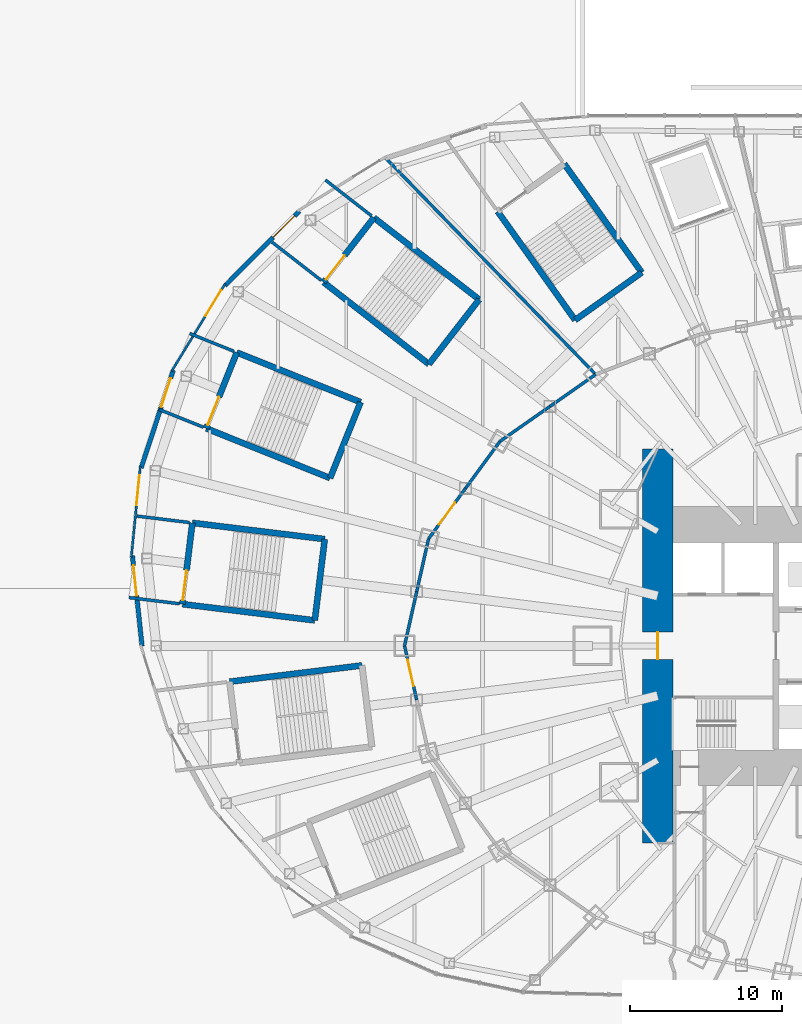
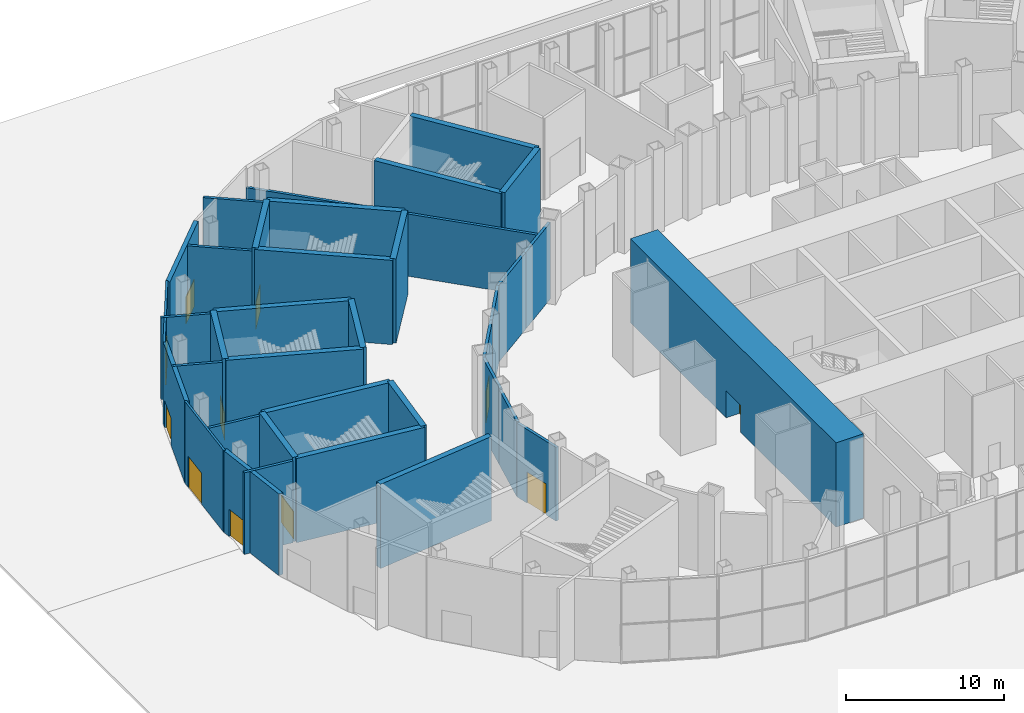
# One storey, part 18 of 47: 36 walls, 11 doors, 11 openings.
"""IFC4 building model written with IfcOpenShell, lengths in metres."""

from ifc_helpers import new_model, si_unit, direction, frame, frame_2d, origin, place, context, subcontext, project, spatial, rectangle, extrude, material, layer, layer_set, type_object, element, fill, save


model = new_model("IFC4")

# Units and contexts
model_context = context("Model", 3, precision=1e-05, world=origin(), true_north=direction((0.0, 1.0)))
body_context = subcontext(model_context, "Body", "Model", "MODEL_VIEW")
ifc_project = project(units=[si_unit("LENGTHUNIT", "METRE"), si_unit("AREAUNIT", "SQUARE_METRE"), si_unit("VOLUMEUNIT", "CUBIC_METRE"), si_unit("PLANEANGLEUNIT", "RADIAN"), si_unit("MASSUNIT", "GRAM", prefix="KILO")], contexts=[model_context])

# Site, building, storey
site_placement = place(None, origin())
site = spatial("IfcSite", under=ifc_project, at=site_placement, CompositionType="ELEMENT")
building_placement = place(site_placement, origin())
building = spatial("IfcBuilding", under=site, at=building_placement, Name="Lantaw Convention Tower", CompositionType="ELEMENT")
storey_placement = place(building_placement, origin())
storey = spatial("IfcBuildingStorey", under=building, at=storey_placement, Name="L00", CompositionType="ELEMENT", Elevation=0.0)

# Wall, opening, door
ifc_material_1 = material(Name="Concrete C60/75", Category="concrete")
ifc_layer_1 = layer(ifc_material_1, 2.0)
ifc_layer_set_1 = layer_set([ifc_layer_1], Name="Core wall 2000")
wall_type_1 = type_object("IfcWallType", Name="Core wall 2000", PredefinedType="SHEAR", material=ifc_layer_set_1)
wall_1_placement = place(storey_placement, frame((-13.199951171875, 13.0, 0.0), z_axis=(0.0, 0.0, 1.0), x_axis=(0.0, -1.0, 0.0)))
wall_1 = element("IfcWall", 1, at=wall_1_placement, inside=storey, type_object=wall_type_1, Name="Core wall W", PredefinedType="SHEAR", context=body_context, shape_type="SweptSolid", body=[
    extrude(rectangle(XDim=26.0, YDim=2.0, at=frame_2d((13.0, 0.0))), origin(), (0.0, 0.0, 1.0), 6.5),
])
opening_1_placement = place(wall_1_placement, frame((12.10009765625, 0.0, 0.0)))
opening_1 = element("IfcOpeningElement", 2, at=opening_1_placement, cuts=wall_1, Name="Opening L00.06", PredefinedType="OPENING", context=body_context, shape_type="SweptSolid", body=[
    extrude(rectangle(XDim=1.800048828125, YDim=2.10009765625, at=frame_2d((0.89990234375, 1.050048828125))), frame((0.0, 1.010009765625, 0.0), z_axis=(0.0, -1.0, 0.0), x_axis=(1.0, 0.0, 0.0)), (0.0, 0.0, 1.0), 2.02001953125),
])
ifc_material_2 = material(Name="Steel, fire rated", Category="steel")
door_type_1 = type_object("IfcDoorType", Name="Lobby double door FD90", OperationType="DOUBLE_DOOR_DOUBLE_SWING", PredefinedType="DOOR", material=ifc_material_2)
door_1_placement = place(opening_1_placement, origin())
door_1 = element("IfcDoor", 3, at=door_1_placement, inside=storey, type_object=door_type_1, Name="Firefighting lobby door", OperationType="DOUBLE_DOOR_DOUBLE_SWING", OverallHeight=2.10009765625, OverallWidth=1.800048828125, PredefinedType="DOOR", context=body_context, shape_type="SweptSolid", body=[
    extrude(rectangle(XDim=1.800048828125, YDim=2.10009765625, at=frame_2d((0.89990234375, 1.050048828125))), frame((0.0, 0.02490234375, 0.0), z_axis=(0.0, -1.0, 0.0), x_axis=(1.0, 0.0, 0.0)), (0.0, 0.0, 1.0), 0.050048828125),
])
fill(opening_1, door_1)

# Walls
ifc_material_3 = material(Name="Concrete blockwork, fire rated", Category="masonry")
ifc_layer_2 = layer(ifc_material_3, 0.199951171875)
ifc_layer_set_2 = layer_set([ifc_layer_2], Name="Exit vestibule wall 200 EI 120")
wall_type_2 = type_object("IfcWallType", Name="Exit vestibule wall 200 EI 120", PredefinedType="SOLIDWALL", material=ifc_layer_set_2)
wall_2_placement = place(storey_placement, frame((-32.08203125, 28.370849609375, 0.0), z_axis=(0.0, 0.0, 1.0), x_axis=(-0.789376118937, 0.613909881702, 0.0)))
element("IfcWall", 4, at=wall_2_placement, inside=storey, type_object=wall_type_2, Name="Exit vestibule wall 200", PredefinedType="SOLIDWALL", context=body_context, shape_type="SweptSolid", body=[
    extrude(rectangle(XDim=3.849853515625, YDim=0.199951171875, at=frame_2d((1.9248046875, 0.0))), origin(), (0.0, 0.0, 1.0), 6.300048828125),
])
wall_3_placement = place(storey_placement, frame((-35.397216796875, 24.108154296875, 0.0), z_axis=(0.0, 0.0, 1.0), x_axis=(-0.789342622909, 0.61395294906, 0.0)))
element("IfcWall", 5, at=wall_3_placement, inside=storey, type_object=wall_type_2, Name="Exit vestibule wall 200", PredefinedType="SOLIDWALL", context=body_context, shape_type="SweptSolid", body=[
    extrude(rectangle(XDim=4.110595703125, YDim=0.199951171875, at=frame_2d((2.05517578125, 0.0))), origin(), (0.0, 0.0, 1.0), 6.300048828125),
])
wall_4_placement = place(storey_placement, frame((-41.152099609375, 19.4296875, 0.0), z_axis=(0.0, 0.0, 1.0), x_axis=(-0.928037743531, 0.372486169652, 0.0)))
element("IfcWall", 6, at=wall_4_placement, inside=storey, type_object=wall_type_2, Name="Exit vestibule wall 200", PredefinedType="SOLIDWALL", context=body_context, shape_type="SweptSolid", body=[
    extrude(rectangle(XDim=3.14990234375, YDim=0.199951171875, at=frame_2d((1.574951171875, 0.0))), origin(), (0.0, 0.0, 1.0), 6.300048828125),
])
wall_5_placement = place(storey_placement, frame((-43.163818359375, 14.418212890625, 0.0), z_axis=(0.0, 0.0, 1.0), x_axis=(-0.928010950087, 0.372552917744, 0.0)))
element("IfcWall", 7, at=wall_5_placement, inside=storey, type_object=wall_type_2, Name="Exit vestibule wall 200", PredefinedType="SOLIDWALL", context=body_context, shape_type="SweptSolid", body=[
    extrude(rectangle(XDim=3.150146484375, YDim=0.199951171875, at=frame_2d((1.5751953125, 0.0))), origin(), (0.0, 0.0, 1.0), 6.300048828125),
])
wall_6_placement = place(storey_placement, frame((-44.09765625, 8.134765625, 0.0), z_axis=(0.0, 0.0, 1.0), x_axis=(-0.992546571341, 0.121865925179, 0.0)))
element("IfcWall", 8, at=wall_6_placement, inside=storey, type_object=wall_type_2, Name="Exit vestibule wall 200", PredefinedType="SOLIDWALL", context=body_context, shape_type="SweptSolid", body=[
    extrude(rectangle(XDim=3.491943359375, YDim=0.199951171875, at=frame_2d((1.74609375, 0.0))), origin(), (0.0, 0.0, 1.0), 6.300048828125),
])
wall_7_placement = place(storey_placement, frame((-44.755615234375, 2.775146484375, 0.0), z_axis=(0.0, 0.0, 1.0), x_axis=(-0.992549022568, 0.121845959305, 0.0)))
element("IfcWall", 9, at=wall_7_placement, inside=storey, type_object=wall_type_2, Name="Exit vestibule wall 200", PredefinedType="SOLIDWALL", context=body_context, shape_type="SweptSolid", body=[
    extrude(rectangle(XDim=3.35009765625, YDim=0.199951171875, at=frame_2d((1.675048828125, 0.0))), origin(), (0.0, 0.0, 1.0), 6.300048828125),
])

# Wall, opening, door
ifc_material_4 = material(Name="Aluminium framed glazing", Category="aluminium")
ifc_layer_3 = layer(ifc_material_4, 0.14990234375)
ifc_layer_set_3 = layer_set([ifc_layer_3], Name="Glazed entrance screen 150")
wall_type_3 = type_object("IfcWallType", Name="Glazed entrance screen 150", PredefinedType="ELEMENTEDWALL", material=ifc_layer_set_3)
wall_8_placement = place(storey_placement, frame((-41.734130859375, 23.8916015625, 0.0), z_axis=(0.0, 0.0, 1.0), x_axis=(-0.522237351002, -0.852800181296, 0.0)))
wall_8 = element("IfcWall", 10, at=wall_8_placement, inside=storey, type_object=wall_type_3, Name="Glazed entrance screen", PredefinedType="ELEMENTEDWALL", context=body_context, shape_type="SweptSolid", body=[
    extrude(rectangle(XDim=6.771240234375, YDim=0.14990234375, at=frame_2d((3.3857421875, 0.0))), origin(), (0.0, 0.0, 1.0), 6.300048828125),
])
opening_2_placement = place(wall_8_placement, frame((0.5, 0.0, 0.0)))
opening_2 = element("IfcOpeningElement", 11, at=opening_2_placement, cuts=wall_8, Name="Opening L00.X20", PredefinedType="OPENING", context=body_context, shape_type="SweptSolid", body=[
    extrude(rectangle(XDim=2.0, YDim=2.39990234375, at=frame_2d((1.0, 1.199951171875))), frame((0.0, 0.0849609375, 0.0), z_axis=(0.0, -1.0, 0.0), x_axis=(1.0, 0.0, 0.0)), (0.0, 0.0, 1.0), 0.169921875),
])
ifc_material_5 = material(Name="Aluminium and glass", Category="aluminium")
door_type_2 = type_object("IfcDoorType", Name="Entrance double door 2000", OperationType="DOUBLE_DOOR_DOUBLE_SWING", PredefinedType="DOOR", material=ifc_material_5)
door_2_placement = place(opening_2_placement, origin())
door_2 = element("IfcDoor", 12, at=door_2_placement, inside=storey, type_object=door_type_2, Name="Entrance", OperationType="DOUBLE_DOOR_DOUBLE_SWING", OverallHeight=2.39990234375, OverallWidth=2.0, PredefinedType="DOOR", context=body_context, shape_type="SweptSolid", body=[
    extrude(rectangle(XDim=2.0, YDim=2.39990234375, at=frame_2d((1.0, 1.199951171875))), frame((0.0, 0.02490234375, 0.0), z_axis=(0.0, -1.0, 0.0), x_axis=(1.0, 0.0, 0.0)), (0.0, 0.0, 1.0), 0.050048828125),
])
fill(opening_2, door_2)

wall_9_placement = place(storey_placement, frame((-47.331298828125, 11.85302734375, 0.0), z_axis=(0.0, 0.0, 1.0), x_axis=(-0.099051198898, -0.9950823383, 0.0)))
wall_9 = element("IfcWall", 13, at=wall_9_placement, inside=storey, type_object=wall_type_3, Name="Glazed entrance screen", PredefinedType="ELEMENTEDWALL", context=body_context, shape_type="SweptSolid", body=[
    extrude(rectangle(XDim=6.036376953125, YDim=0.14990234375, at=frame_2d((3.01806640625, 0.0))), origin(), (0.0, 0.0, 1.0), 6.300048828125),
])
opening_3_placement = place(wall_9_placement, frame((0.60009765625, 0.0, 0.0)))
opening_3 = element("IfcOpeningElement", 14, at=opening_3_placement, cuts=wall_9, Name="Opening L00.X22", PredefinedType="OPENING", context=body_context, shape_type="SweptSolid", body=[
    extrude(rectangle(XDim=2.0, YDim=2.39990234375, at=frame_2d((1.0, 1.199951171875))), frame((0.0, 0.0849609375, 0.0), z_axis=(0.0, -1.0, 0.0), x_axis=(1.0, 0.0, 0.0)), (0.0, 0.0, 1.0), 0.169921875),
])
door_3_placement = place(opening_3_placement, origin())
door_3 = element("IfcDoor", 15, at=door_3_placement, inside=storey, type_object=door_type_2, Name="Entrance", OperationType="DOUBLE_DOOR_DOUBLE_SWING", OverallHeight=2.39990234375, OverallWidth=2.0, PredefinedType="DOOR", context=body_context, shape_type="SweptSolid", body=[
    extrude(rectangle(XDim=2.0, YDim=2.39990234375, at=frame_2d((1.0, 1.199951171875))), frame((0.0, 0.02490234375, 0.0), z_axis=(0.0, -1.0, 0.0), x_axis=(1.0, 0.0, 0.0)), (0.0, 0.0, 1.0), 0.050048828125),
])
fill(opening_3, door_3)

ifc_material_6 = material(Name="Precast concrete panel, pale aluminium rainscreen", Category="concrete")
ifc_layer_4 = layer(ifc_material_6, 0.300048828125)
ifc_layer_set_4 = layer_set([ifc_layer_4], Name="Podium external wall 300")
wall_type_4 = type_object("IfcWallType", Name="Podium external wall 300", PredefinedType="SOLIDWALL", material=ifc_layer_set_4)
wall_10_placement = place(storey_placement, frame((-36.841552734375, 28.678955078125, 0.0), z_axis=(0.0, 0.0, 1.0), x_axis=(-0.705874614645, -0.708336804352, 0.0)))
wall_10 = element("IfcWall", 16, at=wall_10_placement, inside=storey, type_object=wall_type_4, Name="Podium facade wall", PredefinedType="SOLIDWALL", context=body_context, shape_type="SweptSolid", body=[
    extrude(rectangle(XDim=6.94091796875, YDim=0.300048828125, at=frame_2d((3.470458984375, 0.0))), origin(), (0.0, 0.0, 1.0), 6.300048828125),
])
opening_4_placement = place(wall_10_placement, frame((0.449951171875, 0.0, 0.0)))
opening_4 = element("IfcOpeningElement", 17, at=opening_4_placement, cuts=wall_10, Name="Opening L00.X19", PredefinedType="OPENING", context=body_context, shape_type="SweptSolid", body=[
    extrude(rectangle(XDim=2.0, YDim=2.10009765625, at=frame_2d((1.0, 1.050048828125))), frame((0.0, 0.159912109375, 0.0), z_axis=(0.0, -1.0, 0.0), x_axis=(1.0, 0.0, 0.0)), (0.0, 0.0, 1.0), 0.320068359375),
])
door_type_3 = type_object("IfcDoorType", Name="Exit double door 2000", OperationType="DOUBLE_DOOR_DOUBLE_SWING", PredefinedType="DOOR", material=ifc_material_5)
door_4_placement = place(opening_4_placement, origin())
door_4 = element("IfcDoor", 18, at=door_4_placement, inside=storey, type_object=door_type_3, Name="Exit door", OperationType="DOUBLE_DOOR_DOUBLE_SWING", OverallHeight=2.10009765625, OverallWidth=2.0, PredefinedType="DOOR", context=body_context, shape_type="SweptSolid", body=[
    extrude(rectangle(XDim=2.0, YDim=2.10009765625, at=frame_2d((1.0, 1.050048828125))), frame((0.0, 0.02490234375, 0.0), z_axis=(0.0, -1.0, 0.0), x_axis=(1.0, 0.0, 0.0)), (0.0, 0.0, 1.0), 0.050048828125),
])
fill(opening_4, door_4)

wall_11_placement = place(storey_placement, frame((-45.158203125, 18.181640625, 0.0), z_axis=(0.0, 0.0, 1.0), x_axis=(-0.31263149373, -0.94987449125, 0.0)))
wall_11 = element("IfcWall", 19, at=wall_11_placement, inside=storey, type_object=wall_type_4, Name="Podium facade wall", PredefinedType="SOLIDWALL", context=body_context, shape_type="SweptSolid", body=[
    extrude(rectangle(XDim=6.7861328125, YDim=0.300048828125, at=frame_2d((3.39306640625, 0.0))), origin(), (0.0, 0.0, 1.0), 6.300048828125),
])
opening_5_placement = place(wall_11_placement, frame((0.550048828125, 0.0, 0.0)))
opening_5 = element("IfcOpeningElement", 20, at=opening_5_placement, cuts=wall_11, Name="Opening L00.X21", PredefinedType="OPENING", context=body_context, shape_type="SweptSolid", body=[
    extrude(rectangle(XDim=2.0, YDim=2.10009765625, at=frame_2d((1.0, 1.050048828125))), frame((0.0, 0.159912109375, 0.0), z_axis=(0.0, -1.0, 0.0), x_axis=(1.0, 0.0, 0.0)), (0.0, 0.0, 1.0), 0.320068359375),
])
door_5_placement = place(opening_5_placement, origin())
door_5 = element("IfcDoor", 21, at=door_5_placement, inside=storey, type_object=door_type_3, Name="Exit door", OperationType="DOUBLE_DOOR_DOUBLE_SWING", OverallHeight=2.10009765625, OverallWidth=2.0, PredefinedType="DOOR", context=body_context, shape_type="SweptSolid", body=[
    extrude(rectangle(XDim=2.0, YDim=2.10009765625, at=frame_2d((1.0, 1.050048828125))), frame((0.0, 0.02490234375, 0.0), z_axis=(0.0, -1.0, 0.0), x_axis=(1.0, 0.0, 0.0)), (0.0, 0.0, 1.0), 0.050048828125),
])
fill(opening_5, door_5)

wall_12_placement = place(storey_placement, frame((-47.85498046875, 5.94921875, 0.0), z_axis=(0.0, 0.0, 1.0), x_axis=(0.105835648981, -0.99438363593, 0.0)))
wall_12 = element("IfcWall", 22, at=wall_12_placement, inside=storey, type_object=wall_type_4, Name="Podium facade wall", PredefinedType="SOLIDWALL", context=body_context, shape_type="SweptSolid", body=[
    extrude(rectangle(XDim=6.0068359375, YDim=0.300048828125, at=frame_2d((3.00341796875, 0.0))), origin(), (0.0, 0.0, 1.0), 6.300048828125),
])
opening_6_placement = place(wall_12_placement, frame((0.64990234375, 0.0, 0.0)))
opening_6 = element("IfcOpeningElement", 23, at=opening_6_placement, cuts=wall_12, Name="Opening L00.X23", PredefinedType="OPENING", context=body_context, shape_type="SweptSolid", body=[
    extrude(rectangle(XDim=2.0, YDim=2.10009765625, at=frame_2d((1.0, 1.050048828125))), frame((0.0, 0.159912109375, 0.0), z_axis=(0.0, -1.0, 0.0), x_axis=(1.0, 0.0, 0.0)), (0.0, 0.0, 1.0), 0.320068359375),
])
door_6_placement = place(opening_6_placement, origin())
door_6 = element("IfcDoor", 24, at=door_6_placement, inside=storey, type_object=door_type_3, Name="Exit door", OperationType="DOUBLE_DOOR_DOUBLE_SWING", OverallHeight=2.10009765625, OverallWidth=2.0, PredefinedType="DOOR", context=body_context, shape_type="SweptSolid", body=[
    extrude(rectangle(XDim=2.0, YDim=2.10009765625, at=frame_2d((1.0, 1.050048828125))), frame((0.0, 0.02490234375, 0.0), z_axis=(0.0, -1.0, 0.0), x_axis=(1.0, 0.0, 0.0)), (0.0, 0.0, 1.0), 0.050048828125),
])
fill(opening_6, door_6)

# Walls
ifc_material_7 = material(Name="Concrete blockwork", Category="masonry")
ifc_layer_5 = layer(ifc_material_7, 0.199951171875)
ifc_layer_set_5 = layer_set([ifc_layer_5], Name="Podium partition 200")
wall_type_5 = type_object("IfcWallType", Name="Podium partition 200", PredefinedType="SOLIDWALL", material=ifc_layer_set_5)
wall_13_placement = place(storey_placement, frame((-17.290771484375, 17.9052734375, 0.0), z_axis=(0.0, 0.0, 1.0), x_axis=(-0.819409395821, -0.573208724672, 0.0)))
element("IfcWall", 25, at=wall_13_placement, inside=storey, type_object=wall_type_5, Name="Podium partition 200", PredefinedType="SOLIDWALL", context=body_context, shape_type="SweptSolid", body=[
    extrude(rectangle(XDim=3.682861328125, YDim=0.199951171875, at=frame_2d((1.84130859375, 0.0))), origin(), (0.0, 0.0, 1.0), 5.896240234375),
])
wall_14_placement = place(storey_placement, frame((-20.30859375, 15.794189453125, 0.0), z_axis=(0.0, 0.0, 1.0), x_axis=(-0.819442856133, -0.573160889744, 0.0)))
element("IfcWall", 26, at=wall_14_placement, inside=storey, type_object=wall_type_5, Name="Podium partition 200", PredefinedType="SOLIDWALL", context=body_context, shape_type="SweptSolid", body=[
    extrude(rectangle(XDim=4.022705078125, YDim=0.199951171875, at=frame_2d((2.01123046875, 0.0))), origin(), (0.0, 0.0, 1.0), 5.896240234375),
])
wall_15_placement = place(storey_placement, frame((-23.60498046875, 13.488525390625, 0.0), z_axis=(0.0, 0.0, 1.0), x_axis=(-0.591286566758, -0.806461527893, 0.0)))
element("IfcWall", 27, at=wall_15_placement, inside=storey, type_object=wall_type_5, Name="Podium partition 200", PredefinedType="SOLIDWALL", context=body_context, shape_type="SweptSolid", body=[
    extrude(rectangle(XDim=3.843994140625, YDim=0.199951171875, at=frame_2d((1.921875, 0.0))), origin(), (0.0, 0.0, 1.0), 5.896240234375),
])

# Wall, opening, door
wall_16_placement = place(storey_placement, frame((-25.8779296875, 10.388427734375, 0.0), z_axis=(0.0, 0.0, 1.0), x_axis=(-0.591255937291, -0.806483984105, 0.0)))
wall_16 = element("IfcWall", 28, at=wall_16_placement, inside=storey, type_object=wall_type_5, Name="Podium partition 200", PredefinedType="SOLIDWALL", context=body_context, shape_type="SweptSolid", body=[
    extrude(rectangle(XDim=4.126708984375, YDim=0.199951171875, at=frame_2d((2.0634765625, 0.0))), origin(), (0.0, 0.0, 1.0), 5.896240234375),
])
opening_7_placement = place(wall_16_placement, frame((1.163330078125, 0.0, 0.0)))
opening_7 = element("IfcOpeningElement", 29, at=opening_7_placement, cuts=wall_16, Name="Opening L00.23", PredefinedType="OPENING", context=body_context, shape_type="SweptSolid", body=[
    extrude(rectangle(XDim=1.800048828125, YDim=2.39990234375, at=frame_2d((0.89990234375, 1.199951171875))), frame((0.0, 0.10986328125, 0.0), z_axis=(0.0, -1.0, 0.0), x_axis=(1.0, 0.0, 0.0)), (0.0, 0.0, 1.0), 0.219970703125),
])
ifc_material_8 = material(Name="Timber", Category="wood")
door_type_4 = type_object("IfcDoorType", Name="Hall double door 1800", OperationType="DOUBLE_DOOR_DOUBLE_SWING", PredefinedType="DOOR", material=ifc_material_8)
door_7_placement = place(opening_7_placement, origin())
door_7 = element("IfcDoor", 30, at=door_7_placement, inside=storey, type_object=door_type_4, Name="Convention registration hall door", OperationType="DOUBLE_DOOR_DOUBLE_SWING", OverallHeight=2.39990234375, OverallWidth=1.800048828125, PredefinedType="DOOR", context=body_context, shape_type="SweptSolid", body=[
    extrude(rectangle(XDim=1.800048828125, YDim=2.39990234375, at=frame_2d((0.89990234375, 1.199951171875))), frame((0.0, 0.02490234375, 0.0), z_axis=(0.0, -1.0, 0.0), x_axis=(1.0, 0.0, 0.0)), (0.0, 0.0, 1.0), 0.050048828125),
])
fill(opening_7, door_7)

# Walls
wall_17_placement = place(storey_placement, frame((-28.31787109375, 7.060302734375, 0.0), z_axis=(0.0, 0.0, 1.0), x_axis=(-0.218673326171, -0.97579812278, 0.0)))
element("IfcWall", 31, at=wall_17_placement, inside=storey, type_object=wall_type_5, Name="Podium partition 200", PredefinedType="SOLIDWALL", context=body_context, shape_type="SweptSolid", body=[
    extrude(rectangle(XDim=3.57373046875, YDim=0.199951171875, at=frame_2d((1.786865234375, 0.0))), origin(), (0.0, 0.0, 1.0), 5.896240234375),
])
wall_18_placement = place(storey_placement, frame((-29.099365234375, 3.572998046875, 0.0), z_axis=(0.0, 0.0, 1.0), x_axis=(-0.218631550323, -0.975807483679, 0.0)))
element("IfcWall", 32, at=wall_18_placement, inside=storey, type_object=wall_type_5, Name="Podium partition 200", PredefinedType="SOLIDWALL", context=body_context, shape_type="SweptSolid", body=[
    extrude(rectangle(XDim=3.66162109375, YDim=0.199951171875, at=frame_2d((1.830810546875, 0.0))), origin(), (0.0, 0.0, 1.0), 5.771728515625),
])

# Wall, opening, door
wall_19_placement = place(storey_placement, frame((-29.89990234375, 0.0, 0.0), z_axis=(0.0, 0.0, 1.0), x_axis=(0.218631550323, -0.975807483679, 0.0)))
wall_19 = element("IfcWall", 33, at=wall_19_placement, inside=storey, type_object=wall_type_5, Name="Podium partition 200", PredefinedType="SOLIDWALL", context=body_context, shape_type="SweptSolid", body=[
    extrude(rectangle(XDim=3.66162109375, YDim=0.199951171875, at=frame_2d((1.830810546875, 0.0))), origin(), (0.0, 0.0, 1.0), 5.687744140625),
])
opening_8_placement = place(wall_19_placement, frame((0.930908203125, 0.0, 0.0)))
opening_8 = element("IfcOpeningElement", 34, at=opening_8_placement, cuts=wall_19, Name="Opening L00.22", PredefinedType="OPENING", context=body_context, shape_type="SweptSolid", body=[
    extrude(rectangle(XDim=1.800048828125, YDim=2.39990234375, at=frame_2d((0.89990234375, 1.199951171875))), frame((0.0, 0.10986328125, 0.0), z_axis=(0.0, -1.0, 0.0), x_axis=(1.0, 0.0, 0.0)), (0.0, 0.0, 1.0), 0.219970703125),
])
door_8_placement = place(opening_8_placement, origin())
door_8 = element("IfcDoor", 35, at=door_8_placement, inside=storey, type_object=door_type_4, Name="Convention registration hall door", OperationType="DOUBLE_DOOR_DOUBLE_SWING", OverallHeight=2.39990234375, OverallWidth=1.800048828125, PredefinedType="DOOR", context=body_context, shape_type="SweptSolid", body=[
    extrude(rectangle(XDim=1.800048828125, YDim=2.39990234375, at=frame_2d((0.89990234375, 1.199951171875))), frame((0.0, 0.02490234375, 0.0), z_axis=(0.0, -1.0, 0.0), x_axis=(1.0, 0.0, 0.0)), (0.0, 0.0, 1.0), 0.050048828125),
])
fill(opening_8, door_8)

# Walls
wall_20_placement = place(storey_placement, frame((-17.290771484375, 17.9052734375, 0.0), z_axis=(0.0, 0.0, 1.0), x_axis=(-0.696460684513, 0.717594951855, 0.0)))
element("IfcWall", 36, at=wall_20_placement, inside=storey, type_object=wall_type_5, Name="Podium partition 200", PredefinedType="SOLIDWALL", context=body_context, shape_type="SweptSolid", body=[
    extrude(rectangle(XDim=19.880859375, YDim=0.199951171875, at=frame_2d((9.9404296875, 0.0))), origin(), (0.0, 0.0, 1.0), 4.800048828125),
])
ifc_material_9 = material(Name="Concrete C40/50, stair core", Category="concrete")
ifc_layer_6 = layer(ifc_material_9, 0.39990234375)
ifc_layer_set_6 = layer_set([ifc_layer_6], Name="Stair enclosure wall 400 EI 120")
wall_type_6 = type_object("IfcWallType", Name="Stair enclosure wall 400 EI 120", PredefinedType="SHEAR", material=ifc_layer_set_6)
for number, where, z_axis, x_axis, name in (
    (37, (-14.2509765625, 24.628662109375, 0.0), (0.0, 0.0, 1.0), (-0.580705313356, 0.814113836659, 0.0), "Stair enclosure wall"),
    (38, (-23.75732421875, 28.656982421875, 0.0), (0.0, 0.0, 1.0), (0.580705313356, -0.814113836659, 0.0), "Stair enclosure wall"),
):
    element("IfcWall", number, at=place(storey_placement, frame(where, z_axis=z_axis, x_axis=x_axis)), inside=storey, type_object=wall_type_6, Name=name, PredefinedType="SHEAR", context=body_context, shape_type="SweptSolid", body=[
        extrude(rectangle(XDim=8.7998046875, YDim=0.39990234375, at=frame_2d((4.39990234375, 0.0))), origin(), (0.0, 0.0, 1.0), 6.5),
    ])
wall_21_placement = place(storey_placement, frame((-18.647216796875, 21.492919921875, 0.0), z_axis=(0.0, 0.0, 1.0), x_axis=(0.814121252423, 0.580694916762, 0.0)))
element("IfcWall", 39, at=wall_21_placement, inside=storey, type_object=wall_type_6, Name="Stair enclosure wall", PredefinedType="SHEAR", context=body_context, shape_type="SweptSolid", body=[
    extrude(rectangle(XDim=5.39990234375, YDim=0.39990234375, at=frame_2d((2.699951171875, 0.0))), origin(), (0.0, 0.0, 1.0), 6.5),
])
wall_22_placement = place(storey_placement, frame((-24.9775390625, 22.845703125, 0.0), z_axis=(0.0, 0.0, 1.0), x_axis=(-0.78938060008, 0.613904119726, 0.0)))
element("IfcWall", 40, at=wall_22_placement, inside=storey, type_object=wall_type_6, Name="Stair enclosure wall", PredefinedType="SHEAR", context=body_context, shape_type="SweptSolid", body=[
    extrude(rectangle(XDim=8.800048828125, YDim=0.39990234375, at=frame_2d((4.39990234375, 0.0))), origin(), (0.0, 0.0, 1.0), 6.5),
])

# Wall, opening, door
wall_23_placement = place(storey_placement, frame((-31.924072265625, 28.248046875, 0.0), z_axis=(0.0, 0.0, 1.0), x_axis=(-0.613912443548, -0.789374126544, 0.0)))
wall_23 = element("IfcWall", 41, at=wall_23_placement, inside=storey, type_object=wall_type_6, Name="Stair enclosure wall", PredefinedType="SHEAR", context=body_context, shape_type="SweptSolid", body=[
    extrude(rectangle(XDim=5.400146484375, YDim=0.39990234375, at=frame_2d((2.7001953125, 0.0))), origin(), (0.0, 0.0, 1.0), 6.5),
])
opening_9_placement = place(wall_23_placement, frame((3.14990234375, 0.0, 0.0)))
opening_9 = element("IfcOpeningElement", 42, at=opening_9_placement, cuts=wall_23, Name="Opening L00.P7X", PredefinedType="OPENING", context=body_context, shape_type="SweptSolid", body=[
    extrude(rectangle(XDim=2.0, YDim=2.10009765625, at=frame_2d((1.0, 1.050048828125))), frame((0.0, 0.2099609375, 0.0), z_axis=(0.0, -1.0, 0.0), x_axis=(1.0, 0.0, 0.0)), (0.0, 0.0, 1.0), 0.419921875),
])
door_type_5 = type_object("IfcDoorType", Name="Stair discharge double door 2000 FD90", OperationType="DOUBLE_DOOR_DOUBLE_SWING", PredefinedType="DOOR", material=ifc_material_2)
door_9_placement = place(opening_9_placement, origin())
door_9 = element("IfcDoor", 43, at=door_9_placement, inside=storey, type_object=door_type_5, Name="Exit stair discharge door", OperationType="DOUBLE_DOOR_DOUBLE_SWING", OverallHeight=2.10009765625, OverallWidth=2.0, PredefinedType="DOOR", context=body_context, shape_type="SweptSolid", body=[
    extrude(rectangle(XDim=2.0, YDim=2.10009765625, at=frame_2d((1.0, 1.050048828125))), frame((0.0, 0.02490234375, 0.0), z_axis=(0.0, -1.0, 0.0), x_axis=(1.0, 0.0, 0.0)), (0.0, 0.0, 1.0), 0.050048828125),
])
fill(opening_9, door_9)

# Walls
wall_24_placement = place(storey_placement, frame((-35.2392578125, 23.9853515625, 0.0), z_axis=(0.0, 0.0, 1.0), x_axis=(0.78938060008, -0.613904119726, 0.0)))
element("IfcWall", 44, at=wall_24_placement, inside=storey, type_object=wall_type_6, Name="Stair enclosure wall", PredefinedType="SHEAR", context=body_context, shape_type="SweptSolid", body=[
    extrude(rectangle(XDim=8.800048828125, YDim=0.39990234375, at=frame_2d((4.39990234375, 0.0))), origin(), (0.0, 0.0, 1.0), 6.5),
])
wall_25_placement = place(storey_placement, frame((-28.292724609375, 18.5830078125, 0.0), z_axis=(0.0, 0.0, 1.0), x_axis=(0.613912443548, 0.789374126544, 0.0)))
element("IfcWall", 45, at=wall_25_placement, inside=storey, type_object=wall_type_6, Name="Stair enclosure wall", PredefinedType="SHEAR", context=body_context, shape_type="SweptSolid", body=[
    extrude(rectangle(XDim=5.400146484375, YDim=0.39990234375, at=frame_2d((2.7001953125, 0.0))), origin(), (0.0, 0.0, 1.0), 6.5),
])
wall_26_placement = place(storey_placement, frame((-32.800048828125, 16.07666015625, 0.0), z_axis=(0.0, 0.0, 1.0), x_axis=(-0.92801678004, 0.372538395288, 0.0)))
element("IfcWall", 46, at=wall_26_placement, inside=storey, type_object=wall_type_6, Name="Stair enclosure wall", PredefinedType="SHEAR", context=body_context, shape_type="SweptSolid", body=[
    extrude(rectangle(XDim=8.800048828125, YDim=0.39990234375, at=frame_2d((4.39990234375, 0.0))), origin(), (0.0, 0.0, 1.0), 6.5),
])

# Wall, opening, door
wall_27_placement = place(storey_placement, frame((-40.966552734375, 19.35498046875, 0.0), z_axis=(0.0, 0.0, 1.0), x_axis=(-0.372544066459, -0.928014503414, 0.0)))
wall_27 = element("IfcWall", 47, at=wall_27_placement, inside=storey, type_object=wall_type_6, Name="Stair enclosure wall", PredefinedType="SHEAR", context=body_context, shape_type="SweptSolid", body=[
    extrude(rectangle(XDim=5.39990234375, YDim=0.39990234375, at=frame_2d((2.699951171875, 0.0))), origin(), (0.0, 0.0, 1.0), 6.5),
])
opening_10_placement = place(wall_27_placement, frame((3.14990234375, 0.0, 0.0)))
opening_10 = element("IfcOpeningElement", 48, at=opening_10_placement, cuts=wall_27, Name="Opening L00.P8X", PredefinedType="OPENING", context=body_context, shape_type="SweptSolid", body=[
    extrude(rectangle(XDim=2.0, YDim=2.10009765625, at=frame_2d((1.0, 1.050048828125))), frame((0.0, 0.2099609375, 0.0), z_axis=(0.0, -1.0, 0.0), x_axis=(1.0, 0.0, 0.0)), (0.0, 0.0, 1.0), 0.419921875),
])
door_10_placement = place(opening_10_placement, origin())
door_10 = element("IfcDoor", 49, at=door_10_placement, inside=storey, type_object=door_type_5, Name="Exit stair discharge door", OperationType="DOUBLE_DOOR_DOUBLE_SWING", OverallHeight=2.10009765625, OverallWidth=2.0, PredefinedType="DOOR", context=body_context, shape_type="SweptSolid", body=[
    extrude(rectangle(XDim=2.0, YDim=2.10009765625, at=frame_2d((1.0, 1.050048828125))), frame((0.0, 0.02490234375, 0.0), z_axis=(0.0, -1.0, 0.0), x_axis=(1.0, 0.0, 0.0)), (0.0, 0.0, 1.0), 0.050048828125),
])
fill(opening_10, door_10)

# Walls
wall_28_placement = place(storey_placement, frame((-42.978271484375, 14.34375, 0.0), z_axis=(0.0, 0.0, 1.0), x_axis=(0.92801678004, -0.372538395288, 0.0)))
element("IfcWall", 50, at=wall_28_placement, inside=storey, type_object=wall_type_6, Name="Stair enclosure wall", PredefinedType="SHEAR", context=body_context, shape_type="SweptSolid", body=[
    extrude(rectangle(XDim=8.800048828125, YDim=0.39990234375, at=frame_2d((4.39990234375, 0.0))), origin(), (0.0, 0.0, 1.0), 6.5),
])
wall_29_placement = place(storey_placement, frame((-34.811767578125, 11.0654296875, 0.0), z_axis=(0.0, 0.0, 1.0), x_axis=(0.372544066459, 0.928014503414, 0.0)))
element("IfcWall", 51, at=wall_29_placement, inside=storey, type_object=wall_type_6, Name="Stair enclosure wall", PredefinedType="SHEAR", context=body_context, shape_type="SweptSolid", body=[
    extrude(rectangle(XDim=5.39990234375, YDim=0.39990234375, at=frame_2d((2.699951171875, 0.0))), origin(), (0.0, 0.0, 1.0), 6.5),
])
wall_30_placement = place(storey_placement, frame((-35.164794921875, 7.037841796875, 0.0), z_axis=(0.0, 0.0, 1.0), x_axis=(-0.992545280606, 0.121876437212, 0.0)))
element("IfcWall", 52, at=wall_30_placement, inside=storey, type_object=wall_type_6, Name="Stair enclosure wall", PredefinedType="SHEAR", context=body_context, shape_type="SweptSolid", body=[
    extrude(rectangle(XDim=8.800048828125, YDim=0.39990234375, at=frame_2d((4.39990234375, 0.0))), origin(), (0.0, 0.0, 1.0), 6.5),
])

# Wall, opening, door
wall_31_placement = place(storey_placement, frame((-43.899169921875, 8.1103515625, 0.0), z_axis=(0.0, 0.0, 1.0), x_axis=(-0.12184754212, -0.99254882826, 0.0)))
wall_31 = element("IfcWall", 53, at=wall_31_placement, inside=storey, type_object=wall_type_6, Name="Stair enclosure wall", PredefinedType="SHEAR", context=body_context, shape_type="SweptSolid", body=[
    extrude(rectangle(XDim=5.39990234375, YDim=0.39990234375, at=frame_2d((2.699951171875, 0.0))), origin(), (0.0, 0.0, 1.0), 6.5),
])
opening_11_placement = place(wall_31_placement, frame((3.14990234375, 0.0, 0.0)))
opening_11 = element("IfcOpeningElement", 54, at=opening_11_placement, cuts=wall_31, Name="Opening L00.P9X", PredefinedType="OPENING", context=body_context, shape_type="SweptSolid", body=[
    extrude(rectangle(XDim=2.0, YDim=2.10009765625, at=frame_2d((1.0, 1.050048828125))), frame((0.0, 0.2099609375, 0.0), z_axis=(0.0, -1.0, 0.0), x_axis=(1.0, 0.0, 0.0)), (0.0, 0.0, 1.0), 0.419921875),
])
door_11_placement = place(opening_11_placement, origin())
door_11 = element("IfcDoor", 55, at=door_11_placement, inside=storey, type_object=door_type_5, Name="Exit stair discharge door", OperationType="DOUBLE_DOOR_DOUBLE_SWING", OverallHeight=2.10009765625, OverallWidth=2.0, PredefinedType="DOOR", context=body_context, shape_type="SweptSolid", body=[
    extrude(rectangle(XDim=2.0, YDim=2.10009765625, at=frame_2d((1.0, 1.050048828125))), frame((0.0, 0.02490234375, 0.0), z_axis=(0.0, -1.0, 0.0), x_axis=(1.0, 0.0, 0.0)), (0.0, 0.0, 1.0), 0.050048828125),
])
fill(opening_11, door_11)

# Walls
wall_32_placement = place(storey_placement, frame((-44.55712890625, 2.750732421875, 0.0), z_axis=(0.0, 0.0, 1.0), x_axis=(0.992545280606, -0.121876437212, 0.0)))
element("IfcWall", 56, at=wall_32_placement, inside=storey, type_object=wall_type_6, Name="Stair enclosure wall", PredefinedType="SHEAR", context=body_context, shape_type="SweptSolid", body=[
    extrude(rectangle(XDim=8.800048828125, YDim=0.39990234375, at=frame_2d((4.39990234375, 0.0))), origin(), (0.0, 0.0, 1.0), 6.5),
])
wall_33_placement = place(storey_placement, frame((-35.82275390625, 1.67822265625, 0.0), z_axis=(0.0, 0.0, 1.0), x_axis=(0.12184754212, 0.99254882826, 0.0)))
element("IfcWall", 57, at=wall_33_placement, inside=storey, type_object=wall_type_6, Name="Stair enclosure wall", PredefinedType="SHEAR", context=body_context, shape_type="SweptSolid", body=[
    extrude(rectangle(XDim=5.39990234375, YDim=0.39990234375, at=frame_2d((2.699951171875, 0.0))), origin(), (0.0, 0.0, 1.0), 6.5),
])
wall_34_placement = place(storey_placement, frame((-32.70849609375, -1.2958984375, 0.0), z_axis=(0.0, 0.0, 1.0), x_axis=(-0.992545692684, -0.121873081252, 0.0)))
element("IfcWall", 58, at=wall_34_placement, inside=storey, type_object=wall_type_6, Name="Stair enclosure wall", PredefinedType="SHEAR", context=body_context, shape_type="SweptSolid", body=[
    extrude(rectangle(XDim=8.80029296875, YDim=0.39990234375, at=frame_2d((4.400146484375, 0.0))), origin(), (0.0, 0.0, 1.0), 6.5),
])

save(model, "model.ifc")
